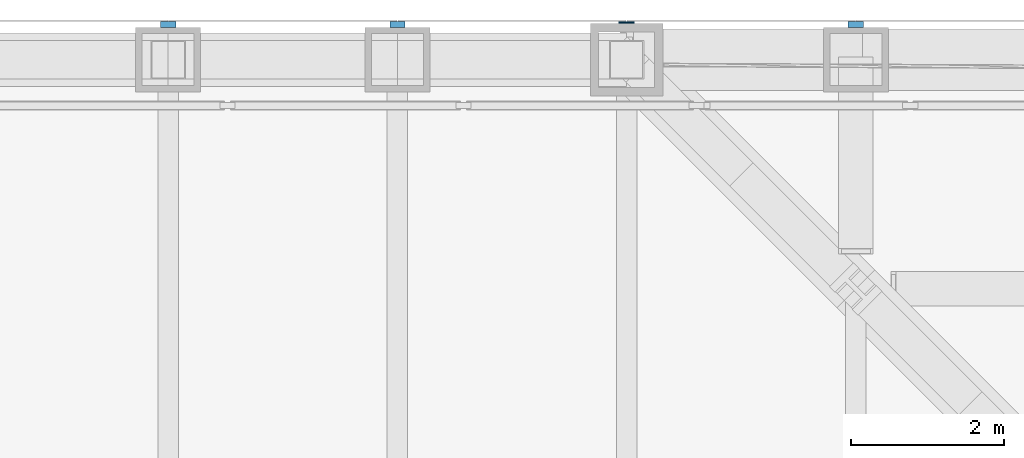
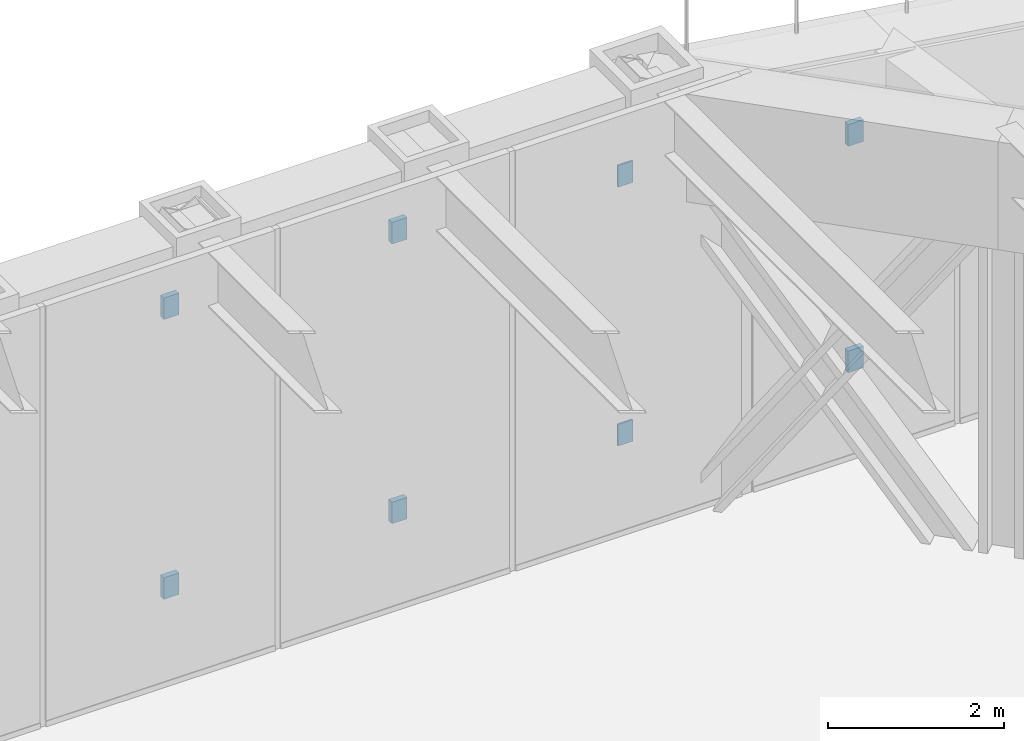
# One storey, part 19 of 31: 8 discrete accessories.
"""IFC4 building model written with IfcOpenShell, lengths in metres."""

from ifc_helpers import new_model, si_unit, direction, frame, origin, origin_2d, place, context, subcontext, project, spatial, rectangle, extrude, material, type_object, element, save


model = new_model("IFC4")

# Units and contexts
model_context = context("Model", 3, precision=1e-05, world=origin(), true_north=direction((0.0, 1.0)))
body_context = subcontext(model_context, "Body", "Model", "MODEL_VIEW")
ifc_project = project(units=[si_unit("LENGTHUNIT", "METRE"), si_unit("AREAUNIT", "SQUARE_METRE"), si_unit("VOLUMEUNIT", "CUBIC_METRE"), si_unit("PLANEANGLEUNIT", "RADIAN"), si_unit("MASSUNIT", "GRAM", prefix="KILO")], contexts=[model_context])

# Site, building, storey
site_placement = place(None, origin())
site = spatial("IfcSite", under=ifc_project, at=site_placement, CompositionType="ELEMENT")
building_placement = place(site_placement, origin())
building = spatial("IfcBuilding", under=site, at=building_placement, Name="Chuquiago Exchange Tower", CompositionType="ELEMENT")
storey_placement = place(building_placement, frame((0.0, 0.0, 96.300048828125)))
storey = spatial("IfcBuildingStorey", under=building, at=storey_placement, Name="L20", CompositionType="ELEMENT", Elevation=96.300048828125)

# Discrete accessories
ifc_material_1 = material(Name="Stainless steel plate bracket", Category="steel")
discrete_accessory_type_1 = type_object("IfcDiscreteAccessoryType", Name="GB4 cladding bracket 75", PredefinedType="BRACKET", material=ifc_material_1)
for number, where, z_axis, x_axis, name in (
    (1, (30.0, 45.46240234375, 0.35009765625), (0.0, 0.0, 1.0), (-1.0, 0.0, 0.0), "Cladding bracket L20 N"),
    (2, (30.0, 45.46240234375, 3.498046875), (0.0, 0.0, 1.0), (-1.0, 0.0, 0.0), "Cladding bracket L20 N"),
    (3, (24.0, 45.46240234375, 0.35009765625), (0.0, 0.0, 1.0), (-1.0, 0.0, 0.0), "Cladding bracket L20 N"),
    (4, (24.0, 45.46240234375, 4.23974609375), (0.0, 0.0, 1.0), (-1.0, 0.0, 0.0), "Cladding bracket L20 N"),
    (5, (21.0, 45.46240234375, 0.35009765625), (0.0, 0.0, 1.0), (-1.0, 0.0, 0.0), "Cladding bracket L20 N"),
    (6, (21.0, 45.46240234375, 4.23974609375), (0.0, 0.0, 1.0), (-1.0, 0.0, 0.0), "Cladding bracket L20 N"),
):
    element("IfcDiscreteAccessory", number, at=place(storey_placement, frame(where, z_axis=z_axis, x_axis=x_axis)), inside=storey, type_object=discrete_accessory_type_1, Name=name, PredefinedType="BRACKET", context=body_context, shape_type="SweptSolid", body=[
        extrude(rectangle(XDim=0.199951171875, YDim=0.074951171875, at=origin_2d()), origin(), (0.0, 0.0, 1.0), 0.300048828125),
    ])
ifc_material_2 = material(Name="Stainless steel plate bracket", Category="steel")
discrete_accessory_type_2 = type_object("IfcDiscreteAccessoryType", Name="GB7 cladding bracket 25", PredefinedType="BRACKET", material=ifc_material_2)
for number, where, z_axis, x_axis, name in (
    (7, (27.0, 45.487548828125, 0.35009765625), (0.0, 0.0, 1.0), (-1.0, 0.0, 0.0), "Cladding bracket L20 N"),
    (8, (27.0, 45.487548828125, 3.94921875), (0.0, 0.0, 1.0), (-1.0, 0.0, 0.0), "Cladding bracket L20 N"),
):
    element("IfcDiscreteAccessory", number, at=place(storey_placement, frame(where, z_axis=z_axis, x_axis=x_axis)), inside=storey, type_object=discrete_accessory_type_2, Name=name, PredefinedType="BRACKET", context=body_context, shape_type="SweptSolid", body=[
        extrude(rectangle(XDim=0.199951171875, YDim=0.02490234375, at=origin_2d()), origin(), (0.0, 0.0, 1.0), 0.300048828125),
    ])

save(model, "model.ifc")
